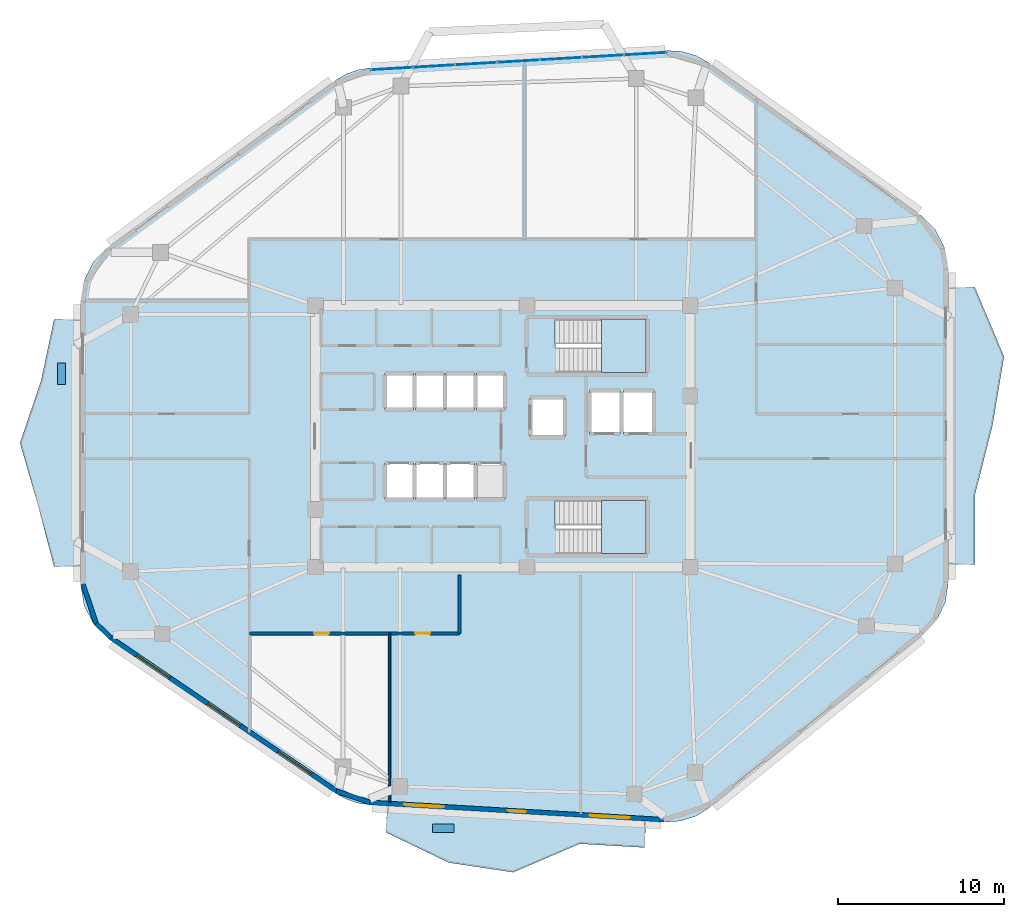
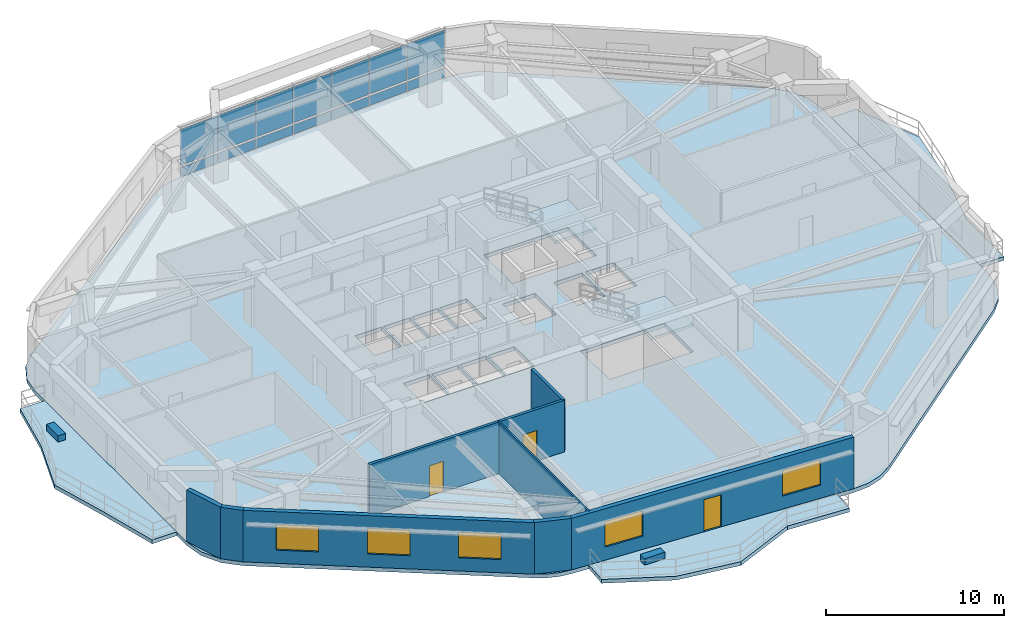
# One storey, part 7 of 15: 16 plates, 8 walls, 6 slabs, 5 windows, 3 doors, 8 openings, 3 elements without a shape of their own.
"""IFC4 building model written with IfcOpenShell, lengths in metres."""

from ifc_helpers import new_model, si_unit, direction, frame, frame_2d, origin, origin_2d, place, context, subcontext, project, spatial, polyline, rectangle, outline, extrude, material, layer, layer_set, type_object, element, fill, aggregate, save


model = new_model("IFC4")

# Units and contexts
model_context = context("Model", 3, precision=1e-05, world=origin(), true_north=direction((0.0, 1.0)))
body_context = subcontext(model_context, "Body", "Model", "MODEL_VIEW")
ifc_project = project(units=[si_unit("LENGTHUNIT", "METRE"), si_unit("AREAUNIT", "SQUARE_METRE"), si_unit("VOLUMEUNIT", "CUBIC_METRE"), si_unit("PLANEANGLEUNIT", "RADIAN"), si_unit("MASSUNIT", "GRAM", prefix="KILO")], contexts=[model_context])

# Site, building, storey
site_placement = place(None, origin())
site = spatial("IfcSite", under=ifc_project, at=site_placement, CompositionType="ELEMENT")
building_placement = place(site_placement, origin())
building = spatial("IfcBuilding", under=site, at=building_placement, Name="Zulverin Broadcast Headquarters", CompositionType="ELEMENT")
storey_placement = place(building_placement, frame((0.0, 0.0, 193.39990234375)))
storey = spatial("IfcBuildingStorey", under=building, at=storey_placement, Name="L49", CompositionType="ELEMENT", Elevation=193.39990234375)

# Curtain wall, plates
ifc_material_1 = material(Name="Waist wind-pressure unitised curtain wall", Category="aluminium")
curtain_wall_type = type_object("IfcCurtainWallType", Name="CW-TWR-WST", PredefinedType="USERDEFINED", material=ifc_material_1)
curtain_wall_placement = place(storey_placement, origin())
curtain_wall = element("IfcCurtainWall", 1, at=curtain_wall_placement, inside=storey, type_object=curtain_wall_type, Name="L49 Unitised Curtain Wall CW-L49-E5", ObjectType="UNITISED CURTAIN WALL", PredefinedType="USERDEFINED")
ifc_material_2 = material(Name="Low-E double-glazed pale-silver vision glass", Category="glass")
ifc_layer_1 = layer(ifc_material_2, 0.035888671875, Name="Low-E double-glazed pale-silver vision glass", Category="glass")
ifc_layer_set_1 = layer_set([ifc_layer_1], Name="Low-E double-glazed pale-silver vision glass")
plate_type_1 = type_object("IfcPlateType", Name="CW-PNL-GLZ", PredefinedType="CURTAIN_PANEL", material=ifc_layer_set_1)
plate_1_placement = place(storey_placement, frame((45.573486328125, 48.221923828125, 0.914794921875), z_axis=(0.0, 0.0, 1.0), x_axis=(-0.998274332859, -0.058722707319, 0.0)))
plate_1 = element("IfcPlate", 2, at=plate_1_placement, type_object=plate_type_1, Name="CW-L49-E5 Vision Panel 00", PredefinedType="CURTAIN_PANEL", context=body_context, shape_type="SweptSolid", body=[
    extrude(rectangle(XDim=2.507568359375, YDim=0.035888671875, at=origin_2d()), origin(), (0.0, 0.0, 1.0), 2.4853515625),
])
plate_2_placement = place(storey_placement, frame((43.0302734375, 48.072509765625, 0.914794921875), z_axis=(0.0, 0.0, 1.0), x_axis=(-0.998274332859, -0.058722707319, 0.0)))
plate_2 = element("IfcPlate", 3, at=plate_2_placement, type_object=plate_type_1, Name="CW-L49-E5 Vision Panel 01", PredefinedType="CURTAIN_PANEL", context=body_context, shape_type="SweptSolid", body=[
    extrude(rectangle(XDim=2.507568359375, YDim=0.035888671875, at=origin_2d()), origin(), (0.0, 0.0, 1.0), 2.4853515625),
])
plate_3_placement = place(storey_placement, frame((40.487060546875, 47.9228515625, 0.914794921875), z_axis=(0.0, 0.0, 1.0), x_axis=(-0.998274332859, -0.058722707319, 0.0)))
plate_3 = element("IfcPlate", 4, at=plate_3_placement, type_object=plate_type_1, Name="CW-L49-E5 Vision Panel 02", PredefinedType="CURTAIN_PANEL", context=body_context, shape_type="SweptSolid", body=[
    extrude(rectangle(XDim=2.507568359375, YDim=0.035888671875, at=origin_2d()), origin(), (0.0, 0.0, 1.0), 2.4853515625),
])
plate_4_placement = place(storey_placement, frame((37.94384765625, 47.773193359375, 0.914794921875), z_axis=(0.0, 0.0, 1.0), x_axis=(-0.998274332859, -0.058722707319, 0.0)))
plate_4 = element("IfcPlate", 5, at=plate_4_placement, type_object=plate_type_1, Name="CW-L49-E5 Vision Panel 03", PredefinedType="CURTAIN_PANEL", context=body_context, shape_type="SweptSolid", body=[
    extrude(rectangle(XDim=2.507568359375, YDim=0.035888671875, at=origin_2d()), origin(), (0.0, 0.0, 1.0), 2.4853515625),
])
plate_5_placement = place(storey_placement, frame((35.400634765625, 47.62353515625, 0.914794921875), z_axis=(0.0, 0.0, 1.0), x_axis=(-0.998274332859, -0.058722707319, 0.0)))
plate_5 = element("IfcPlate", 6, at=plate_5_placement, type_object=plate_type_1, Name="CW-L49-E5 Vision Panel 04", PredefinedType="CURTAIN_PANEL", context=body_context, shape_type="SweptSolid", body=[
    extrude(rectangle(XDim=2.507568359375, YDim=0.035888671875, at=origin_2d()), origin(), (0.0, 0.0, 1.0), 2.4853515625),
])
plate_6_placement = place(storey_placement, frame((32.857421875, 47.47412109375, 0.914794921875), z_axis=(0.0, 0.0, 1.0), x_axis=(-0.998274332859, -0.058722707319, 0.0)))
plate_6 = element("IfcPlate", 7, at=plate_6_placement, type_object=plate_type_1, Name="CW-L49-E5 Vision Panel 05", PredefinedType="CURTAIN_PANEL", context=body_context, shape_type="SweptSolid", body=[
    extrude(rectangle(XDim=2.507568359375, YDim=0.035888671875, at=origin_2d()), origin(), (0.0, 0.0, 1.0), 2.4853515625),
])
plate_7_placement = place(storey_placement, frame((30.314208984375, 47.324462890625, 0.914794921875), z_axis=(0.0, 0.0, 1.0), x_axis=(-0.998274332859, -0.058722707319, 0.0)))
plate_7 = element("IfcPlate", 8, at=plate_7_placement, type_object=plate_type_1, Name="CW-L49-E5 Vision Panel 06", PredefinedType="CURTAIN_PANEL", context=body_context, shape_type="SweptSolid", body=[
    extrude(rectangle(XDim=2.507568359375, YDim=0.035888671875, at=origin_2d()), origin(), (0.0, 0.0, 1.0), 2.4853515625),
])
ifc_material_3 = material(Name="Insulated brushed pale-aluminium spandrel cassette", Category="aluminium")
ifc_layer_2 = layer(ifc_material_3, 0.050048828125, Name="Insulated brushed pale-aluminium spandrel cassette", Category="aluminium")
ifc_layer_set_2 = layer_set([ifc_layer_2], Name="Insulated brushed pale-aluminium spandrel cassette")
plate_type_2 = type_object("IfcPlateType", Name="CW-PNL-SPN", PredefinedType="CURTAIN_PANEL", material=ifc_layer_set_2)
plate_8_placement = place(storey_placement, frame((45.573486328125, 48.221923828125, 0.14013671875), z_axis=(0.0, 0.0, 1.0), x_axis=(-0.998274332859, -0.058722707319, 0.0)))
plate_8 = element("IfcPlate", 9, at=plate_8_placement, type_object=plate_type_2, Name="CW-L49-E5 Spandrel Cassette 00", PredefinedType="CURTAIN_PANEL", context=body_context, shape_type="SweptSolid", body=[
    extrude(rectangle(XDim=2.507568359375, YDim=0.050048828125, at=origin_2d()), origin(), (0.0, 0.0, 1.0), 0.64453125),
])
plate_9_placement = place(storey_placement, frame((43.0302734375, 48.072509765625, 0.14013671875), z_axis=(0.0, 0.0, 1.0), x_axis=(-0.998274332859, -0.058722707319, 0.0)))
plate_9 = element("IfcPlate", 10, at=plate_9_placement, type_object=plate_type_2, Name="CW-L49-E5 Spandrel Cassette 01", PredefinedType="CURTAIN_PANEL", context=body_context, shape_type="SweptSolid", body=[
    extrude(rectangle(XDim=2.507568359375, YDim=0.050048828125, at=origin_2d()), origin(), (0.0, 0.0, 1.0), 0.64453125),
])
plate_10_placement = place(storey_placement, frame((40.487060546875, 47.9228515625, 0.14013671875), z_axis=(0.0, 0.0, 1.0), x_axis=(-0.998274332859, -0.058722707319, 0.0)))
plate_10 = element("IfcPlate", 11, at=plate_10_placement, type_object=plate_type_2, Name="CW-L49-E5 Spandrel Cassette 02", PredefinedType="CURTAIN_PANEL", context=body_context, shape_type="SweptSolid", body=[
    extrude(rectangle(XDim=2.507568359375, YDim=0.050048828125, at=origin_2d()), origin(), (0.0, 0.0, 1.0), 0.64453125),
])
plate_11_placement = place(storey_placement, frame((37.94384765625, 47.773193359375, 0.14013671875), z_axis=(0.0, 0.0, 1.0), x_axis=(-0.998274332859, -0.058722707319, 0.0)))
plate_11 = element("IfcPlate", 12, at=plate_11_placement, type_object=plate_type_2, Name="CW-L49-E5 Spandrel Cassette 03", PredefinedType="CURTAIN_PANEL", context=body_context, shape_type="SweptSolid", body=[
    extrude(rectangle(XDim=2.507568359375, YDim=0.050048828125, at=origin_2d()), origin(), (0.0, 0.0, 1.0), 0.64453125),
])
plate_12_placement = place(storey_placement, frame((35.400634765625, 47.62353515625, 0.14013671875), z_axis=(0.0, 0.0, 1.0), x_axis=(-0.998274332859, -0.058722707319, 0.0)))
plate_12 = element("IfcPlate", 13, at=plate_12_placement, type_object=plate_type_2, Name="CW-L49-E5 Spandrel Cassette 04", PredefinedType="CURTAIN_PANEL", context=body_context, shape_type="SweptSolid", body=[
    extrude(rectangle(XDim=2.507568359375, YDim=0.050048828125, at=origin_2d()), origin(), (0.0, 0.0, 1.0), 0.64453125),
])
plate_13_placement = place(storey_placement, frame((32.857421875, 47.47412109375, 0.14013671875), z_axis=(0.0, 0.0, 1.0), x_axis=(-0.998274332859, -0.058722707319, 0.0)))
plate_13 = element("IfcPlate", 14, at=plate_13_placement, type_object=plate_type_2, Name="CW-L49-E5 Spandrel Cassette 05", PredefinedType="CURTAIN_PANEL", context=body_context, shape_type="SweptSolid", body=[
    extrude(rectangle(XDim=2.507568359375, YDim=0.050048828125, at=origin_2d()), origin(), (0.0, 0.0, 1.0), 0.64453125),
])
plate_14_placement = place(storey_placement, frame((30.314208984375, 47.324462890625, 0.14013671875), z_axis=(0.0, 0.0, 1.0), x_axis=(-0.998274332859, -0.058722707319, 0.0)))
plate_14 = element("IfcPlate", 15, at=plate_14_placement, type_object=plate_type_2, Name="CW-L49-E5 Spandrel Cassette 06", PredefinedType="CURTAIN_PANEL", context=body_context, shape_type="SweptSolid", body=[
    extrude(rectangle(XDim=2.507568359375, YDim=0.050048828125, at=origin_2d()), origin(), (0.0, 0.0, 1.0), 0.64453125),
])
aggregate(curtain_wall, [plate_8, plate_1, plate_9, plate_2, plate_10, plate_3, plate_11, plate_4, plate_12, plate_5, plate_13, plate_6, plate_14, plate_7])

# Plates
ifc_material_4 = material(Name="Precast concrete C45/55", Category="concrete")
ifc_layer_3 = layer(ifc_material_4, 0.449951171875, Name="Precast concrete C45/55", Category="concrete")
ifc_layer_set_3 = layer_set([ifc_layer_3], Name="Precast concrete C45/55")
plate_type_3 = type_object("IfcPlateType", Name="PT-01_PRECAST_GFRC_TREE_PLANTER", PredefinedType="USERDEFINED", material=ifc_layer_set_3)
for number, where, z_axis, x_axis, name in (
    (16, (33.41015625, 1.621337890625, -0.0048828125), (0.0, 0.0, 1.0), (1.0, 0.0, 0.0), "L49 Precast GFRC Tree Planter BAL_S"),
    (17, (10.449951171875, 28.96826171875, -0.0048828125), (0.0, 0.0, 1.0), (0.0, 1.0, 0.0), "L49 Precast GFRC Tree Planter BAL_W"),
):
    element("IfcPlate", number, at=place(storey_placement, frame(where, z_axis=z_axis, x_axis=x_axis)), inside=storey, type_object=plate_type_3, Name=name, ObjectType="PLANTER", PredefinedType="USERDEFINED", context=body_context, shape_type="SweptSolid", body=[
        extrude(rectangle(XDim=1.300048828125, YDim=0.5, at=origin_2d()), origin(), (0.0, 0.0, 1.0), 0.449951171875),
    ])

# Slabs
ifc_material_5 = material(Name="Concrete C40/50", Category="concrete")
ifc_layer_4 = layer(ifc_material_5, 0.260009765625, Name="Concrete C40/50", Category="concrete")
ifc_layer_set_4 = layer_set([ifc_layer_4], Name="Concrete C40/50")
slab_type_1 = type_object("IfcSlabType", Name="SLB-BAL-260", PredefinedType="FLOOR", material=ifc_layer_set_4)
slab_1_placement = place(storey_placement, frame((0.0, 0.0, -0.260009765625)))
element("IfcSlab", 18, at=slab_1_placement, inside=storey, type_object=slab_type_1, Name="L49 Cantilevered Planted Balcony Slab BAL_E", PredefinedType="FLOOR", context=body_context, shape_type="SweptSolid", body=[
    extrude(outline(polyline([(63.800048828125, 34.166259765625), (63.800048828125, 17.490478515625), (65.39990234375, 17.490478515625), (65.39990234375, 21.6591796875), (66.458740234375, 25.828369140625), (67.154052734375, 29.997314453125), (65.39990234375, 34.166259765625), (63.800048828125, 34.166259765625)])), origin(), (0.0, 0.0, 1.0), 0.260009765625),
])
slab_2_placement = place(storey_placement, frame((0.0, 0.0, -0.260009765625)))
element("IfcSlab", 19, at=slab_2_placement, inside=storey, type_object=slab_type_1, Name="L49 Cantilevered Planted Balcony Slab BAL_S", PredefinedType="FLOOR", context=body_context, shape_type="SweptSolid", body=[
    extrude(outline(polyline([(45.61083984375, 2.0556640625), (30.055419921875, 2.970703125), (29.96142578125, 1.373291015625), (33.756591796875, -0.45068359375), (37.624755859375, -1.03076171875), (41.628173828125, 0.68701171875), (45.51708984375, 0.45849609375), (45.61083984375, 2.0556640625)])), origin(), (0.0, 0.0, 1.0), 0.260009765625),
])
slab_3_placement = place(storey_placement, frame((0.0, 0.0, -0.260009765625)))
element("IfcSlab", 20, at=slab_3_placement, inside=storey, type_object=slab_type_1, Name="L49 Cantilevered Planted Balcony Slab BAL_W", PredefinedType="FLOOR", context=body_context, shape_type="SweptSolid", body=[
    extrude(outline(polyline([(11.60009765625, 17.36767578125), (11.60009765625, 32.240234375), (10.0, 32.240234375), (9.2109375, 28.522216796875), (7.949951171875, 24.803955078125), (9.023193359375, 21.085693359375), (10.0, 17.36767578125), (11.60009765625, 17.36767578125)])), origin(), (0.0, 0.0, 1.0), 0.260009765625),
])

# Stair, slab
stair_type = type_object("IfcStairType", Name="ST-CORE-1500", PredefinedType="HALF_TURN_STAIR", material=ifc_material_5)
stair_1_placement = place(storey_placement, origin())
stair_1 = element("IfcStair", 21, at=stair_1_placement, inside=storey, type_object=stair_type, Name="L49 Core Exit Stair ST-1", PredefinedType="HALF_TURN_STAIR")
ifc_layer_5 = layer(ifc_material_5, 0.199951171875, Name="Concrete C40/50", Category="concrete")
ifc_layer_set_5 = layer_set([ifc_layer_5], Name="Concrete C40/50")
slab_type_2 = type_object("IfcSlabType", Name="SLB-ST-LND200", PredefinedType="LANDING", material=ifc_layer_set_5)
slab_4_placement = place(storey_placement, frame((0.0, 0.0, 1.7001953125)))
slab_4 = element("IfcSlab", 22, at=slab_4_placement, type_object=slab_type_2, Name="ST-1 landing 1", PredefinedType="LANDING", context=body_context, shape_type="SweptSolid", body=[
    extrude(outline(polyline([(42.929931640625, 29.050048828125), (45.60009765625, 29.050048828125), (45.60009765625, 32.25), (42.929931640625, 32.25), (42.929931640625, 29.050048828125)])), origin(), (0.0, 0.0, 1.0), 0.199951171875),
])
aggregate(stair_1, [slab_4])

stair_2_placement = place(storey_placement, origin())
stair_2 = element("IfcStair", 23, at=stair_2_placement, inside=storey, type_object=stair_type, Name="L49 Core Exit Stair ST-2", PredefinedType="HALF_TURN_STAIR")
slab_5_placement = place(storey_placement, frame((0.0, 0.0, 1.7001953125)))
slab_5 = element("IfcSlab", 24, at=slab_5_placement, type_object=slab_type_2, Name="ST-2 landing 1", PredefinedType="LANDING", context=body_context, shape_type="SweptSolid", body=[
    extrude(outline(polyline([(42.929931640625, 18.14990234375), (45.60009765625, 18.14990234375), (45.60009765625, 21.35009765625), (42.929931640625, 21.35009765625), (42.929931640625, 18.14990234375)])), origin(), (0.0, 0.0, 1.0), 0.199951171875),
])
aggregate(stair_2, [slab_5])

# Slab
ifc_layer_6 = layer(ifc_material_5, 0.260009765625, Name="Concrete C40/50", Category="concrete")
ifc_layer_set_6 = layer_set([ifc_layer_6], Name="Concrete C40/50")
slab_type_3 = type_object("IfcSlabType", Name="SLB-TWR-260", PredefinedType="FLOOR", material=ifc_layer_set_6)
slab_6_placement = place(storey_placement, frame((0.0, 0.0, -0.260009765625)))
element("IfcSlab", 25, at=slab_6_placement, inside=storey, type_object=slab_type_3, Name="L49 Main Structural Floor Slab", PredefinedType="FLOOR", context=body_context, shape_type="SweptSolid", body=[
    extrude(outline(polyline([(26.943603515625, 3.72021484375), (27.570068359375, 3.3720703125), (28.24853515625, 3.14111328125), (28.95751953125, 3.03515625), (46.708984375, 1.990966796875), (47.690185546875, 2.05419921875), (48.626220703125, 2.35498046875), (49.46044921875, 2.875), (62.316650390625, 13.28125), (63.11572265625, 14.1533203125), (63.625, 15.220703125), (63.800048828125, 16.390380859375), (63.800048828125, 35.26611328125), (63.602294921875, 36.50830078125), (63.02880859375, 37.627197265625), (62.13623046875, 38.51318359375), (49.408935546875, 47.67041015625), (48.61669921875, 48.113525390625), (47.74462890625, 48.36669921875), (46.837890625, 48.41650390625), (29.03564453125, 47.369384765625), (28.27978515625, 47.251708984375), (27.560302734375, 46.9921875), (26.9033203125, 46.6005859375), (13.23291015625, 36.564697265625), (12.356201171875, 35.680908203125), (11.793701171875, 34.570068359375), (11.60009765625, 33.34033203125), (11.60009765625, 16.267578125), (11.808837890625, 14.991943359375), (12.413818359375, 13.849365234375), (13.351318359375, 12.95947265625), (26.943603515625, 3.72021484375)]), holes=[polyline([(40.155029296875, 30.75), (40.130126953125, 30.75), (40.130126953125, 32.25), (45.60009765625, 32.25), (45.60009765625, 29.050048828125), (40.155029296875, 29.050048828125), (40.155029296875, 30.75)]), polyline([(40.155029296875, 19.85009765625), (40.130126953125, 19.85009765625), (40.130126953125, 21.35009765625), (45.60009765625, 21.35009765625), (45.60009765625, 18.14990234375), (40.155029296875, 18.14990234375), (40.155029296875, 19.85009765625)]), polyline([(29.89990234375, 21.39990234375), (31.6201171875, 21.39990234375), (31.6201171875, 23.60009765625), (29.89990234375, 23.60009765625), (29.89990234375, 21.39990234375)]), polyline([(31.739990234375, 21.39990234375), (33.4599609375, 21.39990234375), (33.4599609375, 23.60009765625), (31.739990234375, 23.60009765625), (31.739990234375, 21.39990234375)]), polyline([(33.580078125, 21.39990234375), (35.300048828125, 21.39990234375), (35.300048828125, 23.60009765625), (33.580078125, 23.60009765625), (33.580078125, 21.39990234375)]), polyline([(35.419921875, 21.39990234375), (37.139892578125, 21.39990234375), (37.139892578125, 23.60009765625), (35.419921875, 23.60009765625), (35.419921875, 21.39990234375)]), polyline([(29.89990234375, 26.800048828125), (31.6201171875, 26.800048828125), (31.6201171875, 29.0), (29.89990234375, 29.0), (29.89990234375, 26.800048828125)]), polyline([(31.739990234375, 26.800048828125), (33.4599609375, 26.800048828125), (33.4599609375, 29.0), (31.739990234375, 29.0), (31.739990234375, 26.800048828125)]), polyline([(33.580078125, 26.800048828125), (35.300048828125, 26.800048828125), (35.300048828125, 29.0), (33.580078125, 29.0), (33.580078125, 26.800048828125)]), polyline([(35.419921875, 26.800048828125), (37.139892578125, 26.800048828125), (37.139892578125, 29.0), (35.419921875, 29.0), (35.419921875, 26.800048828125)]), polyline([(42.199951171875, 25.35009765625), (44.050048828125, 25.35009765625), (44.050048828125, 27.949951171875), (42.199951171875, 27.949951171875), (42.199951171875, 25.35009765625)]), polyline([(44.25, 25.35009765625), (46.10009765625, 25.35009765625), (46.10009765625, 27.949951171875), (44.25, 27.949951171875), (44.25, 25.35009765625)]), polyline([(38.64990234375, 25.14990234375), (40.75, 25.14990234375), (40.75, 27.550048828125), (38.64990234375, 27.550048828125), (38.64990234375, 25.14990234375)])]), origin(), (0.0, 0.0, 1.0), 0.260009765625),
])

# Wall, openings, door, windows
ifc_material_6 = material(Name="Insulated pale-metal clad concrete spandrel C40/50", Category="concrete")
ifc_layer_7 = layer(ifc_material_6, 0.280029296875, Name="Insulated pale-metal clad concrete spandrel C40/50", Category="concrete")
ifc_layer_set_7 = layer_set([ifc_layer_7], Name="Insulated pale-metal clad concrete spandrel C40/50")
wall_type_1 = type_object("IfcWallType", Name="WL-EXT-280", PredefinedType="STANDARD", material=ifc_layer_set_7)
wall_1_placement = place(storey_placement, frame((28.965576171875, 3.175048828125, 0.0), z_axis=(0.0, 0.0, 1.0), x_axis=(0.998274467859, -0.058720412304, 0.0)))
wall_1 = element("IfcWall", 26, at=wall_1_placement, inside=storey, type_object=wall_type_1, Name="L49 Pale-Metal Clad Spandrel Wall 1", PredefinedType="STANDARD", context=body_context, shape_type="SweptSolid", body=[
    extrude(rectangle(XDim=17.782470703125, YDim=0.280029296875, at=frame_2d((8.89111328125, 0.0))), origin(), (0.0, 0.0, 1.0), 3.5400390625),
])
opening_1_placement = place(wall_1_placement, frame((8.341064453125, 0.0, 0.0)))
opening_1 = element("IfcOpeningElement", 27, at=opening_1_placement, cuts=wall_1, Name="Opening D-L49-TR1", PredefinedType="OPENING", context=body_context, shape_type="SweptSolid", body=[
    extrude(rectangle(XDim=1.10009765625, YDim=2.199951171875, at=frame_2d((0.550048828125, 1.10009765625))), frame((0.0, 0.14990234375, 0.0), z_axis=(0.0, -1.0, 0.0), x_axis=(1.0, 0.0, 0.0)), (0.0, 0.0, 1.0), 0.300048828125),
])
opening_2_placement = place(wall_1_placement, frame((2.096923828125, 0.0, 0.89990234375)))
opening_2 = element("IfcOpeningElement", 28, at=opening_2_placement, cuts=wall_1, Name="Opening W-L49-E11", PredefinedType="OPENING", context=body_context, shape_type="SweptSolid", body=[
    extrude(rectangle(XDim=2.39990234375, YDim=1.75, at=frame_2d((1.199951171875, 0.875))), frame((0.0, 0.14990234375, 0.0), z_axis=(0.0, -1.0, 0.0), x_axis=(1.0, 0.0, 0.0)), (0.0, 0.0, 1.0), 0.300048828125),
])
opening_3_placement = place(wall_1_placement, frame((13.28515625, 0.0, 0.89990234375)))
opening_3 = element("IfcOpeningElement", 29, at=opening_3_placement, cuts=wall_1, Name="Opening W-L49-E12", PredefinedType="OPENING", context=body_context, shape_type="SweptSolid", body=[
    extrude(rectangle(XDim=2.39990234375, YDim=1.75, at=frame_2d((1.199951171875, 0.875))), frame((0.0, 0.14990234375, 0.0), z_axis=(0.0, -1.0, 0.0), x_axis=(1.0, 0.0, 0.0)), (0.0, 0.0, 1.0), 0.300048828125),
])
ifc_material_7 = material(Name="Thermally broken aluminium glazed", Category="aluminium")
door_type_1 = type_object("IfcDoorType", Name="DR-TERR-1100", OperationType="SINGLE_SWING_RIGHT", PredefinedType="DOOR", material=ifc_material_7)
door_1_placement = place(opening_1_placement, origin())
door_1 = element("IfcDoor", 30, at=door_1_placement, inside=storey, type_object=door_type_1, Name="L49 Planted Terrace Glazed Access Door 1", OperationType="SINGLE_SWING_RIGHT", OverallHeight=2.199951171875, OverallWidth=1.10009765625, PredefinedType="DOOR", context=body_context, shape_type="SweptSolid", body=[
    extrude(rectangle(XDim=1.10009765625, YDim=2.199951171875, at=frame_2d((0.550048828125, 1.10009765625))), frame((0.0, 0.02490234375, 0.0), z_axis=(0.0, -1.0, 0.0), x_axis=(1.0, 0.0, 0.0)), (0.0, 0.0, 1.0), 0.050048828125),
])
fill(opening_1, door_1)
ifc_material_8 = material(Name="Pale anodized aluminium frame with solar-control low-E double glazing", Category="aluminium")
window_type = type_object("IfcWindowType", Name="WIN-RIB-2400", PartitioningType="SINGLE_PANEL", PredefinedType="WINDOW", material=ifc_material_8)
window_1_placement = place(opening_2_placement, origin())
window_1 = element("IfcWindow", 31, at=window_1_placement, inside=storey, type_object=window_type, Name="L49 Ribbon Glazing Window 1 1", OverallHeight=1.75, OverallWidth=2.39990234375, PartitioningType="SINGLE_PANEL", PredefinedType="WINDOW", context=body_context, shape_type="SweptSolid", body=[
    extrude(rectangle(XDim=2.39990234375, YDim=1.75, at=frame_2d((1.199951171875, 0.875))), frame((0.0, 0.030029296875, 0.0), z_axis=(0.0, -1.0, 0.0), x_axis=(1.0, 0.0, 0.0)), (0.0, 0.0, 1.0), 0.06005859375),
])
fill(opening_2, window_1)
window_2_placement = place(opening_3_placement, origin())
window_2 = element("IfcWindow", 32, at=window_2_placement, inside=storey, type_object=window_type, Name="L49 Ribbon Glazing Window 1 2", OverallHeight=1.75, OverallWidth=2.39990234375, PartitioningType="SINGLE_PANEL", PredefinedType="WINDOW", context=body_context, shape_type="SweptSolid", body=[
    extrude(rectangle(XDim=2.39990234375, YDim=1.75, at=frame_2d((1.199951171875, 0.875))), frame((0.0, 0.030029296875, 0.0), z_axis=(0.0, -1.0, 0.0), x_axis=(1.0, 0.0, 0.0)), (0.0, 0.0, 1.0), 0.06005859375),
])
fill(opening_3, window_2)

# Wall, openings, windows
wall_2_placement = place(storey_placement, frame((13.429931640625, 13.0751953125, 0.0), z_axis=(0.0, 0.0, 1.0), x_axis=(0.827025402003, -0.562164552815, 0.0)))
wall_2 = element("IfcWall", 33, at=wall_2_placement, inside=storey, type_object=wall_type_1, Name="L49 Pale-Metal Clad Spandrel Wall 8", PredefinedType="STANDARD", context=body_context, shape_type="SweptSolid", body=[
    extrude(rectangle(XDim=16.43505859375, YDim=0.280029296875, at=frame_2d((8.217529296875, 0.0))), origin(), (0.0, 0.0, 1.0), 3.5400390625),
])
opening_4_placement = place(wall_2_placement, frame((1.87255859375, 0.0, 0.89990234375)))
opening_4 = element("IfcOpeningElement", 34, at=opening_4_placement, cuts=wall_2, Name="Opening W-L49-E81", PredefinedType="OPENING", context=body_context, shape_type="SweptSolid", body=[
    extrude(rectangle(XDim=2.39990234375, YDim=1.75, at=frame_2d((1.199951171875, 0.875))), frame((0.0, 0.14990234375, 0.0), z_axis=(0.0, -1.0, 0.0), x_axis=(1.0, 0.0, 0.0)), (0.0, 0.0, 1.0), 0.300048828125),
])
opening_5_placement = place(wall_2_placement, frame((7.017578125, 0.0, 0.89990234375)))
opening_5 = element("IfcOpeningElement", 35, at=opening_5_placement, cuts=wall_2, Name="Opening W-L49-E82", PredefinedType="OPENING", context=body_context, shape_type="SweptSolid", body=[
    extrude(rectangle(XDim=2.39990234375, YDim=1.75, at=frame_2d((1.199951171875, 0.875))), frame((0.0, 0.14990234375, 0.0), z_axis=(0.0, -1.0, 0.0), x_axis=(1.0, 0.0, 0.0)), (0.0, 0.0, 1.0), 0.300048828125),
])
opening_6_placement = place(wall_2_placement, frame((12.16259765625, 0.0, 0.89990234375)))
opening_6 = element("IfcOpeningElement", 36, at=opening_6_placement, cuts=wall_2, Name="Opening W-L49-E83", PredefinedType="OPENING", context=body_context, shape_type="SweptSolid", body=[
    extrude(rectangle(XDim=2.39990234375, YDim=1.75, at=frame_2d((1.199951171875, 0.875))), frame((0.0, 0.14990234375, 0.0), z_axis=(0.0, -1.0, 0.0), x_axis=(1.0, 0.0, 0.0)), (0.0, 0.0, 1.0), 0.300048828125),
])
window_3_placement = place(opening_4_placement, origin())
window_3 = element("IfcWindow", 37, at=window_3_placement, inside=storey, type_object=window_type, Name="L49 Ribbon Glazing Window 8 1", OverallHeight=1.75, OverallWidth=2.39990234375, PartitioningType="SINGLE_PANEL", PredefinedType="WINDOW", context=body_context, shape_type="SweptSolid", body=[
    extrude(rectangle(XDim=2.39990234375, YDim=1.75, at=frame_2d((1.199951171875, 0.875))), frame((0.0, 0.030029296875, 0.0), z_axis=(0.0, -1.0, 0.0), x_axis=(1.0, 0.0, 0.0)), (0.0, 0.0, 1.0), 0.06005859375),
])
fill(opening_4, window_3)
window_4_placement = place(opening_5_placement, origin())
window_4 = element("IfcWindow", 38, at=window_4_placement, inside=storey, type_object=window_type, Name="L49 Ribbon Glazing Window 8 2", OverallHeight=1.75, OverallWidth=2.39990234375, PartitioningType="SINGLE_PANEL", PredefinedType="WINDOW", context=body_context, shape_type="SweptSolid", body=[
    extrude(rectangle(XDim=2.39990234375, YDim=1.75, at=frame_2d((1.199951171875, 0.875))), frame((0.0, 0.030029296875, 0.0), z_axis=(0.0, -1.0, 0.0), x_axis=(1.0, 0.0, 0.0)), (0.0, 0.0, 1.0), 0.06005859375),
])
fill(opening_5, window_4)
window_5_placement = place(opening_6_placement, origin())
window_5 = element("IfcWindow", 39, at=window_5_placement, inside=storey, type_object=window_type, Name="L49 Ribbon Glazing Window 8 3", OverallHeight=1.75, OverallWidth=2.39990234375, PartitioningType="SINGLE_PANEL", PredefinedType="WINDOW", context=body_context, shape_type="SweptSolid", body=[
    extrude(rectangle(XDim=2.39990234375, YDim=1.75, at=frame_2d((1.199951171875, 0.875))), frame((0.0, 0.030029296875, 0.0), z_axis=(0.0, -1.0, 0.0), x_axis=(1.0, 0.0, 0.0)), (0.0, 0.0, 1.0), 0.06005859375),
])
fill(opening_6, window_5)

# Walls
wall_3_placement = place(storey_placement, frame((11.732666015625, 16.312255859375, 0.0), z_axis=(0.0, 0.0, 1.0), x_axis=(0.318924860995, -0.947780002447, 0.0)))
element("IfcWall", 40, at=wall_3_placement, inside=storey, type_object=wall_type_1, Name="L49 Wind-Shaped Corner Spandrel Wall 7-1", PredefinedType="STANDARD", context=body_context, shape_type="SweptSolid", body=[
    extrude(rectangle(XDim=2.551513671875, YDim=0.280029296875, at=frame_2d((1.27587890625, 0.0))), origin(), (0.0, 0.0, 1.0), 3.5400390625),
])
wall_4_placement = place(storey_placement, frame((12.510009765625, 13.950927734375, 0.0), z_axis=(0.0, 0.0, 1.0), x_axis=(0.725371815671, -0.688357268451, 0.0)))
element("IfcWall", 41, at=wall_4_placement, inside=storey, type_object=wall_type_1, Name="L49 Wind-Shaped Corner Spandrel Wall 7-2", PredefinedType="STANDARD", context=body_context, shape_type="SweptSolid", body=[
    extrude(rectangle(XDim=1.292724609375, YDim=0.280029296875, at=frame_2d((0.646484375, 0.0))), origin(), (0.0, 0.0, 1.0), 3.5400390625),
])
wall_5_placement = place(storey_placement, frame((26.98876953125, 3.852783203125, 0.0), z_axis=(0.0, 0.0, 1.0), x_axis=(0.946713959835, -0.322075578479, 0.0)))
element("IfcWall", 42, at=wall_5_placement, inside=storey, type_object=wall_type_1, Name="L49 Wind-Shaped Corner Spandrel Wall 8-1", PredefinedType="STANDARD", context=body_context, shape_type="SweptSolid", body=[
    extrude(rectangle(XDim=2.126953125, YDim=0.280029296875, at=frame_2d((1.0634765625, 0.0))), origin(), (0.0, 0.0, 1.0), 3.5400390625),
])
ifc_material_9 = material(Name="Fire-rated acoustic laminated glass screen", Category="glass")
ifc_layer_8 = layer(ifc_material_9, 0.10009765625, Name="Fire-rated acoustic laminated glass screen", Category="glass")
ifc_layer_set_8 = layer_set([ifc_layer_8], Name="Fire-rated acoustic laminated glass screen")
wall_type_2 = type_object("IfcWallType", Name="WL-GLAZ-100", PredefinedType="PARTITIONING", material=ifc_layer_set_8)
wall_6_placement = place(storey_placement, frame((30.199951171875, 3.1669921875, 0.0), z_axis=(0.0, 0.0, 1.0), x_axis=(0.0, 1.0, 0.0)))
element("IfcWall", 43, at=wall_6_placement, inside=storey, type_object=wall_type_2, Name="L49 Room Partition Wall RP-05", PredefinedType="PARTITIONING", context=body_context, shape_type="SweptSolid", body=[
    extrude(rectangle(XDim=10.18310546875, YDim=0.10009765625, at=frame_2d((5.091552734375, 0.0))), origin(), (0.0, 0.0, 1.0), 3.5400390625),
])
ifc_material_10 = material(Name="Fire-rated acoustic stud wall", Category="gypsum")
ifc_layer_9 = layer(ifc_material_10, 0.175048828125, Name="Fire-rated acoustic stud wall", Category="gypsum")
ifc_layer_set_9 = layer_set([ifc_layer_9], Name="Fire-rated acoustic stud wall")
wall_type_3 = type_object("IfcWallType", Name="WL-PART-175", PredefinedType="PARTITIONING", material=ifc_layer_set_9)
wall_7_placement = place(storey_placement, frame((34.39990234375, 13.35009765625, 0.0), z_axis=(0.0, 0.0, 1.0), x_axis=(0.0, 1.0, 0.0)))
element("IfcWall", 44, at=wall_7_placement, inside=storey, type_object=wall_type_3, Name="L49 Gallery Partition Wall CG-04", PredefinedType="PARTITIONING", context=body_context, shape_type="SweptSolid", body=[
    extrude(rectangle(XDim=3.510009765625, YDim=0.175048828125, at=frame_2d((1.7548828125, 0.0))), origin(), (0.0, 0.0, 1.0), 3.5400390625),
])

# Wall, openings, doors
wall_8_placement = place(storey_placement, frame((21.75, 13.35009765625, 0.0), z_axis=(0.0, 0.0, 1.0), x_axis=(1.0, 0.0, 0.0)))
wall_8 = element("IfcWall", 45, at=wall_8_placement, inside=storey, type_object=wall_type_3, Name="L49 Gallery Partition Wall CG-08", PredefinedType="PARTITIONING", context=body_context, shape_type="SweptSolid", body=[
    extrude(rectangle(XDim=12.64990234375, YDim=0.175048828125, at=frame_2d((6.324951171875, 0.0))), origin(), (0.0, 0.0, 1.0), 3.5400390625),
])
opening_7_placement = place(wall_8_placement, frame((3.89501953125, 0.0, 0.0)))
opening_7 = element("IfcOpeningElement", 46, at=opening_7_placement, cuts=wall_8, Name="Opening D-L49-03", PredefinedType="OPENING", context=body_context, shape_type="SweptSolid", body=[
    extrude(rectangle(XDim=0.89990234375, YDim=2.10009765625, at=frame_2d((0.449951171875, 1.050048828125))), frame((0.0, 0.097412109375, 0.0), z_axis=(0.0, -1.0, 0.0), x_axis=(1.0, 0.0, 0.0)), (0.0, 0.0, 1.0), 0.195068359375),
])
opening_8_placement = place(wall_8_placement, frame((9.97998046875, 0.0, 0.0)))
opening_8 = element("IfcOpeningElement", 47, at=opening_8_placement, cuts=wall_8, Name="Opening D-L49-04", PredefinedType="OPENING", context=body_context, shape_type="SweptSolid", body=[
    extrude(rectangle(XDim=0.89990234375, YDim=2.10009765625, at=frame_2d((0.449951171875, 1.050048828125))), frame((0.0, 0.097412109375, 0.0), z_axis=(0.0, -1.0, 0.0), x_axis=(1.0, 0.0, 0.0)), (0.0, 0.0, 1.0), 0.195068359375),
])
ifc_material_11 = material(Name="Fire-rated hardwood veneer timber leaf", Category="wood")
door_type_2 = type_object("IfcDoorType", Name="DR-ROOM-900", OperationType="SINGLE_SWING_RIGHT", PredefinedType="DOOR", material=ifc_material_11)
door_2_placement = place(opening_7_placement, origin())
door_2 = element("IfcDoor", 48, at=door_2_placement, inside=storey, type_object=door_type_2, Name="L49 Briefing Room Door", OperationType="SINGLE_SWING_RIGHT", OverallHeight=2.10009765625, OverallWidth=0.89990234375, PredefinedType="DOOR", context=body_context, shape_type="SweptSolid", body=[
    extrude(rectangle(XDim=0.89990234375, YDim=2.10009765625, at=frame_2d((0.449951171875, 1.050048828125))), frame((0.0, 0.02490234375, 0.0), z_axis=(0.0, -1.0, 0.0), x_axis=(1.0, 0.0, 0.0)), (0.0, 0.0, 1.0), 0.050048828125),
])
fill(opening_7, door_2)
door_3_placement = place(opening_8_placement, origin())
door_3 = element("IfcDoor", 49, at=door_3_placement, inside=storey, type_object=door_type_2, Name="L49 Acoustic Mastering Suite Door", OperationType="SINGLE_SWING_LEFT", OverallHeight=2.10009765625, OverallWidth=0.89990234375, PredefinedType="DOOR", context=body_context, shape_type="SweptSolid", body=[
    extrude(rectangle(XDim=0.89990234375, YDim=2.10009765625, at=frame_2d((0.449951171875, 1.050048828125))), frame((0.0, 0.02490234375, 0.0), z_axis=(0.0, -1.0, 0.0), x_axis=(1.0, 0.0, 0.0)), (0.0, 0.0, 1.0), 0.050048828125),
])
fill(opening_8, door_3)

save(model, "model.ifc")
